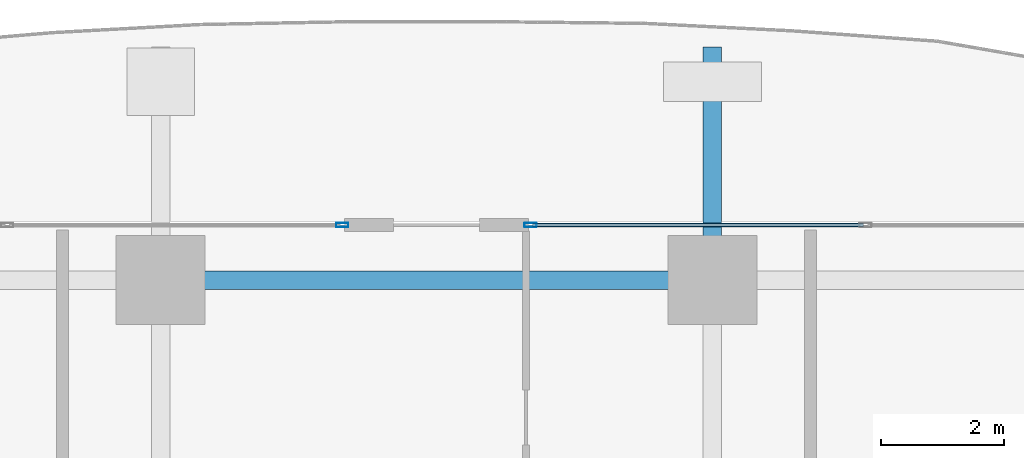
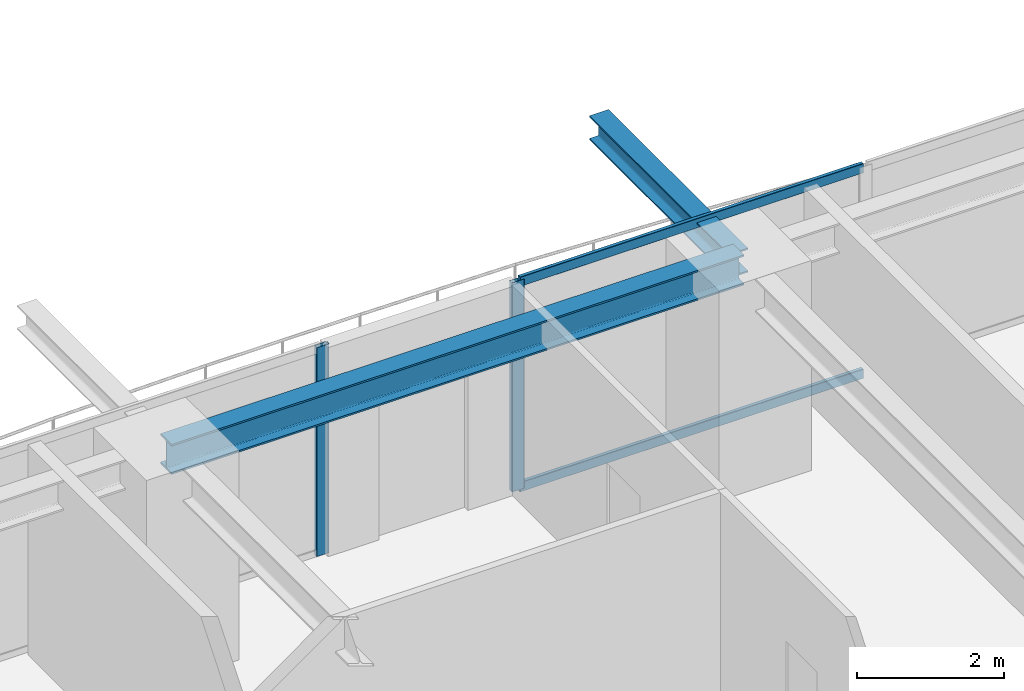
# One storey, part 21 of 37: 4 members, 2 beams, 2 elements without a shape of their own.
"""IFC4 building model written with IfcOpenShell, lengths in metres."""

from ifc_helpers import new_model, si_unit, direction, frame, origin, origin_2d, place, context, subcontext, project, spatial, hollow_rectangle, i_section, extrude, source, transform, mapped, material, layer, layer_set, material_profile, profile_set, type_object, element, aggregate, save


model = new_model("IFC4")

# Units and contexts
model_context = context("Model", 3, precision=1e-05, world=origin(), true_north=direction((0.0, 1.0)))
body_context = subcontext(model_context, "Body", "Model", "MODEL_VIEW")
ifc_project = project(units=[si_unit("LENGTHUNIT", "METRE"), si_unit("AREAUNIT", "SQUARE_METRE"), si_unit("VOLUMEUNIT", "CUBIC_METRE"), si_unit("PLANEANGLEUNIT", "RADIAN"), si_unit("MASSUNIT", "GRAM", prefix="KILO")], contexts=[model_context])

# Site, building, storey
site_placement = place(None, origin())
site = spatial("IfcSite", under=ifc_project, at=site_placement, CompositionType="ELEMENT")
building_placement = place(site_placement, origin())
building = spatial("IfcBuilding", under=site, at=building_placement, Name="Serunith Strait Residences", CompositionType="ELEMENT")
storey_placement = place(building_placement, frame((0.0, 0.0, 26.699951171875)))
storey = spatial("IfcBuildingStorey", under=building, at=storey_placement, Name="L05", CompositionType="ELEMENT", Elevation=26.699951171875)

# Beams
ifc_material_1 = material(Name="Steel S355J2", Category="steel")
ifc_material_profile_1 = material_profile(ifc_material_1, i_section(OverallWidth=0.300048828125, OverallDepth=0.5, WebThickness=0.014404296875, FlangeThickness=0.028076171875, FilletRadius=0.027099609375, at=origin_2d()), Name="HEB 500")
ifc_profile_set_1 = profile_set([ifc_material_profile_1], Name="Steel S355J2")
beam_type_1 = type_object("IfcBeamType", Name="BM-HEB500", PredefinedType="BEAM", material=ifc_profile_set_1)
shared_shape_1 = source(origin(), body_context, "Body", "SweptSolid", [
    extrude(i_section(OverallWidth=0.300048828125, OverallDepth=0.5, WebThickness=0.014404296875, FlangeThickness=0.028076171875, FilletRadius=0.027099609375, at=origin_2d()), origin(), (0.0, 0.0, 1.0), 9.0),
])
beam_1_placement = place(storey_placement, frame((36.89990234375, 49.300048828125, 3.237060546875), z_axis=(-1.0, 0.0, 0.0), x_axis=(0.0, -1.0, 0.0)))
element("IfcBeam", 1, at=beam_1_placement, inside=storey, type_object=beam_type_1, Name="L05 Perimeter Ring Beam 10", PredefinedType="BEAM", context=body_context, shape_type="MappedRepresentation", body=[
    mapped(shared_shape_1, transform((0.0, 0.0, 0.0), scale=1.0)),
])
ifc_material_profile_2 = material_profile(ifc_material_1, i_section(OverallWidth=0.300048828125, OverallDepth=0.39990234375, WebThickness=0.013427734375, FlangeThickness=0.02392578125, FilletRadius=0.027099609375, at=origin_2d()), Name="HEB 400")
ifc_profile_set_2 = profile_set([ifc_material_profile_2], Name="Steel S355J2")
beam_type_2 = type_object("IfcBeamType", Name="BM-HEB400", PredefinedType="BEAM", material=ifc_profile_set_2)
shared_shape_2 = source(origin(), body_context, "Body", "SweptSolid", [
    extrude(i_section(OverallWidth=0.300048828125, OverallDepth=0.39990234375, WebThickness=0.013427734375, FlangeThickness=0.02392578125, FilletRadius=0.027099609375, at=origin_2d()), origin(), (0.0, 0.0, 1.0), 3.800048828125),
])
beam_2_placement = place(storey_placement, frame((36.89990234375, 49.300048828125, 3.257080078125), z_axis=(0.0, 1.0, 0.0), x_axis=(-1.0, 0.0, 0.0)))
element("IfcBeam", 2, at=beam_2_placement, inside=storey, type_object=beam_type_2, Name="L06 Cantilevered Balcony Rib TC-N3", PredefinedType="BEAM", context=body_context, shape_type="MappedRepresentation", body=[
    mapped(shared_shape_2, transform((0.0, 0.0, 0.0), scale=1.0)),
])

# Curtain wall, member
ifc_material_2 = material(Name="Pale-Champagne Anodised Aluminium", Category="aluminium")
ifc_layer = layer(ifc_material_2, 0.199951171875, Name="Pale-Champagne Anodised Aluminium")
ifc_layer_set = layer_set([ifc_layer], Name="Pale-Champagne Anodised Aluminium")
curtain_wall_type = type_object("IfcCurtainWallType", Name="CW-SYS1", PredefinedType="NOTDEFINED", material=ifc_layer_set)
curtain_wall_1_placement = place(storey_placement, origin())
curtain_wall_1 = element("IfcCurtainWall", 3, at=curtain_wall_1_placement, inside=storey, type_object=curtain_wall_type, Name="L05 N Unitised Fritted Curtain Wall", PredefinedType="NOTDEFINED")
ifc_material_profile_3 = material_profile(ifc_material_2, hollow_rectangle(XDim=0.070068359375, YDim=0.199951171875, WallThickness=0.00390625, InnerFilletRadius=0.006103515625, OuterFilletRadius=0.010009765625, at=origin_2d()), Name="ALU 200x70x4")
ifc_profile_set_3 = profile_set([ifc_material_profile_3], Name="Pale-Champagne Anodised Aluminium")
member_type_1 = type_object("IfcMemberType", Name="CW-SYS1-MULL", PredefinedType="MULLION", material=ifc_profile_set_3)
shared_shape_3 = source(origin(), body_context, "Body", "SweptSolid", [
    extrude(hollow_rectangle(XDim=0.070068359375, YDim=0.199951171875, WallThickness=0.00390625, InnerFilletRadius=0.006103515625, OuterFilletRadius=0.010009765625, at=origin_2d()), origin(), (0.0, 0.0, 1.0), 3.47509765625),
])
member_1_placement = place(storey_placement, frame((33.93505859375, 50.199951171875, 0.0), z_axis=(0.0, 0.0, 1.0), x_axis=(0.0, -1.0, 0.0)))
member_1 = element("IfcMember", 4, at=member_1_placement, type_object=member_type_1, Name="CW-1 mullion 4", PredefinedType="MULLION", context=body_context, shape_type="MappedRepresentation", body=[
    mapped(shared_shape_3, transform((0.0, 0.0, 0.0), scale=1.0)),
])

curtain_wall_2_placement = place(storey_placement, origin())
curtain_wall_2 = element("IfcCurtainWall", 5, at=curtain_wall_2_placement, inside=storey, type_object=curtain_wall_type, Name="L05 N Unitised Fritted Curtain Wall", PredefinedType="NOTDEFINED")
member_2_placement = place(storey_placement, frame((30.864990234375, 50.199951171875, 0.0), z_axis=(0.0, 0.0, 1.0), x_axis=(0.0, -1.0, 0.0)))
member_2 = element("IfcMember", 6, at=member_2_placement, type_object=member_type_1, Name="CW-1 mullion 1", PredefinedType="MULLION", context=body_context, shape_type="MappedRepresentation", body=[
    mapped(shared_shape_3, transform((0.0, 0.0, 0.0), scale=1.0)),
])
aggregate(curtain_wall_2, [member_2])

# Member
ifc_material_profile_4 = material_profile(ifc_material_2, hollow_rectangle(XDim=0.06005859375, YDim=0.159912109375, WallThickness=0.00341796875, InnerFilletRadius=0.00537109375, OuterFilletRadius=0.0087890625, at=origin_2d()), Name="ALU 160x60x3.5")
ifc_profile_set_4 = profile_set([ifc_material_profile_4], Name="Pale-Champagne Anodised Aluminium")
member_type_2 = type_object("IfcMemberType", Name="CW-SYS1-TRAN", PredefinedType="USERDEFINED", material=ifc_profile_set_4)
shared_shape_4 = source(origin(), body_context, "Body", "SweptSolid", [
    extrude(hollow_rectangle(XDim=0.06005859375, YDim=0.159912109375, WallThickness=0.00341796875, InnerFilletRadius=0.00537109375, OuterFilletRadius=0.0087890625, at=origin_2d()), origin(), (0.0, 0.0, 1.0), 5.39501953125),
])
member_3_placement = place(storey_placement, frame((39.364990234375, 50.199951171875, 0.030029296875), z_axis=(-1.0, 0.0, 0.0), x_axis=(0.0, -1.0, 0.0)))
member_3 = element("IfcMember", 7, at=member_3_placement, type_object=member_type_2, Name="CW-1 transom 3.1", ObjectType="TRANSOM", PredefinedType="USERDEFINED", context=body_context, shape_type="MappedRepresentation", body=[
    mapped(shared_shape_4, transform((0.0, 0.0, 0.0), scale=1.0)),
])

member_4_placement = place(storey_placement, frame((39.364990234375, 50.199951171875, 3.445068359375), z_axis=(-1.0, 0.0, 0.0), x_axis=(0.0, -1.0, 0.0)))
member_4 = element("IfcMember", 8, at=member_4_placement, type_object=member_type_2, Name="CW-1 transom 3.2", ObjectType="TRANSOM", PredefinedType="USERDEFINED", context=body_context, shape_type="MappedRepresentation", body=[
    mapped(shared_shape_4, transform((0.0, 0.0, 0.0), scale=1.0)),
])

aggregate(curtain_wall_1, [member_1, member_3, member_4])

save(model, "model.ifc")
